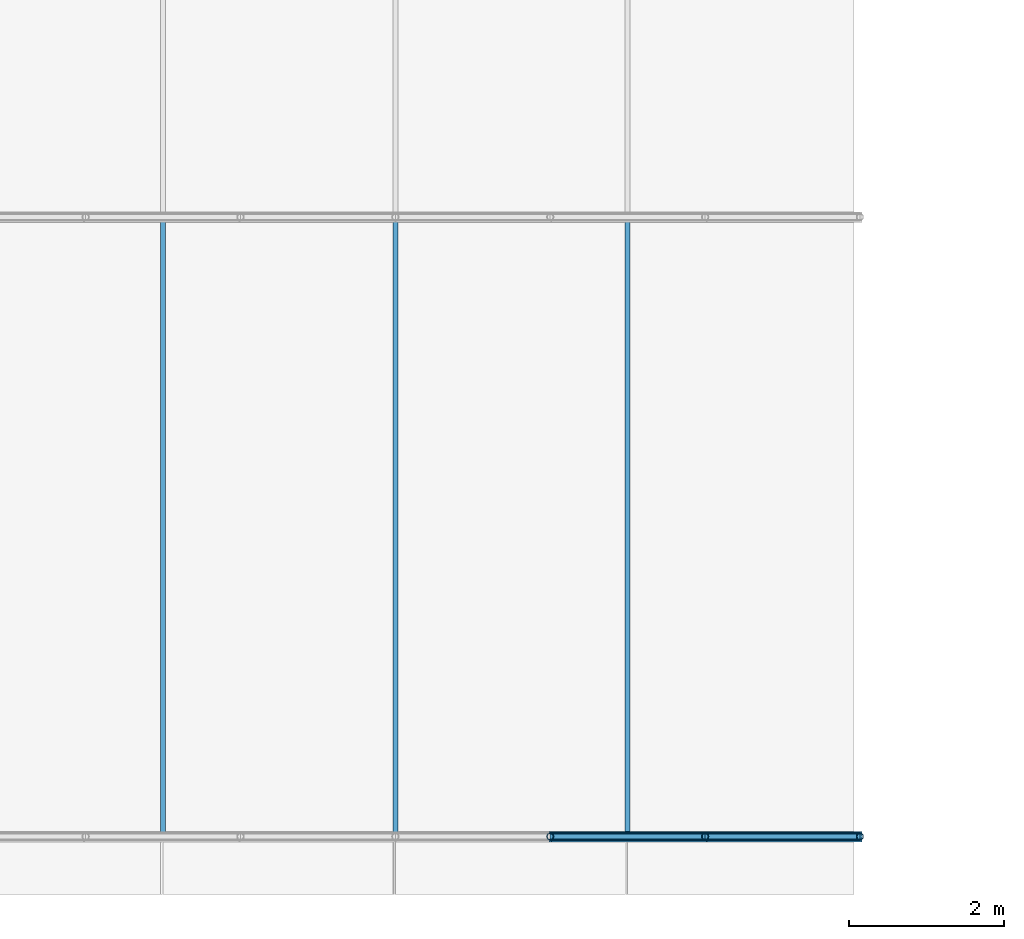
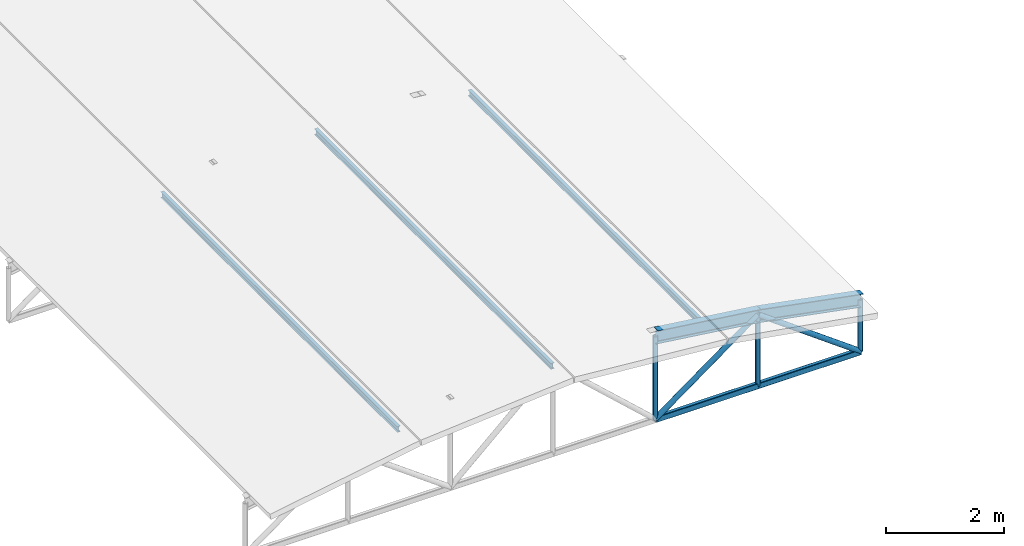
# One storey, part 6 of 54: 12 members.
"""IFC4 building model written with IfcOpenShell, lengths in metres."""

from ifc_helpers import new_model, si_unit, derived_unit, direction, frame, origin, origin_2d, place, context, subcontext, project, spatial, hollow_rectangle, hollow_circle, i_section, extrude, material, material_profile, profile_set, type_object, element, save


model = new_model("IFC4")

# Units and contexts
model_context = context("Model", 3, precision=1e-05, world=origin(), true_north=direction((0.0, 1.0)))
body_context = subcontext(model_context, "Body", "Model", "MODEL_VIEW")
ifc_project = project(units=[si_unit("LENGTHUNIT", "METRE"), si_unit("AREAUNIT", "SQUARE_METRE"), si_unit("VOLUMEUNIT", "CUBIC_METRE"), si_unit("PLANEANGLEUNIT", "RADIAN"), si_unit("MASSUNIT", "GRAM", prefix="KILO"), derived_unit("THERMALTRANSMITTANCEUNIT", [(si_unit("POWERUNIT", "WATT"), 1), (si_unit("LENGTHUNIT", "METRE"), -2), (si_unit("THERMODYNAMICTEMPERATUREUNIT", "KELVIN"), -1)])], contexts=[model_context])

# Site, building, storey
site_placement = place(None, origin())
site = spatial("IfcSite", under=ifc_project, at=site_placement, CompositionType="ELEMENT")
building_placement = place(site_placement, origin())
building = spatial("IfcBuilding", under=site, at=building_placement, Name="Keldorne Ridge Multi-Sports Centre", CompositionType="ELEMENT")
storey_placement = place(building_placement, frame((0.0, 0.0, 22.199951171875)))
storey = spatial("IfcBuildingStorey", under=building, at=storey_placement, Name="ROOF", CompositionType="ELEMENT", Elevation=22.199951171875)

# Members
ifc_material = material(Name="Steel S355", Category="steel")
ifc_material_profile_1 = material_profile(ifc_material, i_section(OverallWidth=0.06396484375, OverallDepth=0.1201171875, WebThickness=0.00439453125, FlangeThickness=0.00634765625, FilletRadius=0.007080078125, at=origin_2d()), Name="IPE 120")
ifc_profile_set_1 = profile_set([ifc_material_profile_1], Name="Steel S355")
member_type_1 = type_object("IfcMemberType", Name="MEM-PR-05", PredefinedType="PURLIN", material=ifc_profile_set_1)
for number, where, z_axis, x_axis, name in (
    (1, (87.0, 6.0, -12.179931640625), (0.0, 1.0, 0.0), (-1.0, 0.0, 0.0), "Public Passage canopy purlin 87.1"),
    (2, (90.0, 6.0, -11.929931640625), (0.0, 1.0, 0.0), (-1.0, 0.0, 0.0), "Public Passage canopy purlin 90.1"),
    (3, (93.0, 6.0, -12.179931640625), (0.0, 1.0, 0.0), (-1.0, 0.0, 0.0), "Public Passage canopy purlin 93.1"),
):
    element("IfcMember", number, at=place(storey_placement, frame(where, z_axis=z_axis, x_axis=x_axis)), inside=storey, type_object=member_type_1, Name=name, PredefinedType="PURLIN", context=body_context, shape_type="SweptSolid", body=[
        extrude(i_section(OverallWidth=0.06396484375, OverallDepth=0.1201171875, WebThickness=0.00439453125, FlangeThickness=0.00634765625, FilletRadius=0.007080078125, at=origin_2d()), origin(), (0.0, 0.0, 1.0), 8.0),
    ])
ifc_material_profile_2 = material_profile(ifc_material, i_section(OverallWidth=0.135009765625, OverallDepth=0.27001953125, WebThickness=0.006591796875, FlangeThickness=0.01025390625, FilletRadius=0.014892578125, at=origin_2d()), Name="IPE 270")
ifc_profile_set_2 = profile_set([ifc_material_profile_2], Name="Steel S355")
member_type_2 = type_object("IfcMemberType", Name="MEM-RF-02", PredefinedType="RAFTER", material=ifc_profile_set_2)
member_1_placement = place(storey_placement, frame((92.0, 6.0, -12.0), z_axis=(0.991654998325, 0.0, -0.128919991848), x_axis=(0.0, 1.0, 0.0)))
element("IfcMember", 4, at=member_1_placement, inside=storey, type_object=member_type_2, Name="Public Passage bowstring arch top chord 01.5", PredefinedType="RAFTER", context=body_context, shape_type="SweptSolid", body=[
    extrude(i_section(OverallWidth=0.135009765625, OverallDepth=0.27001953125, WebThickness=0.006591796875, FlangeThickness=0.01025390625, FilletRadius=0.014892578125, at=origin_2d()), origin(), (0.0, 0.0, 1.0), 2.016845703125),
])
member_2_placement = place(storey_placement, frame((94.0, 6.0, -12.260009765625), z_axis=(0.982435006317, 0.0, -0.186605086649), x_axis=(0.0, 1.0, 0.0)))
element("IfcMember", 5, at=member_2_placement, inside=storey, type_object=member_type_2, Name="Public Passage bowstring arch top chord 01.6", PredefinedType="RAFTER", context=body_context, shape_type="SweptSolid", body=[
    extrude(i_section(OverallWidth=0.135009765625, OverallDepth=0.27001953125, WebThickness=0.006591796875, FlangeThickness=0.01025390625, FilletRadius=0.014892578125, at=origin_2d()), origin(), (0.0, 0.0, 1.0), 2.03564453125),
])
ifc_material_profile_3 = material_profile(ifc_material, hollow_rectangle(XDim=0.080078125, YDim=0.1201171875, WallThickness=0.008056640625, InnerFilletRadius=0.008056640625, OuterFilletRadius=0.01611328125, at=origin_2d()), Name="RHS 120x80x8")
ifc_profile_set_3 = profile_set([ifc_material_profile_3], Name="Steel S355")
member_type_3 = type_object("IfcMemberType", Name="MEM-TC-07", PredefinedType="CHORD", material=ifc_profile_set_3)
for number, where, z_axis, x_axis, name in (
    (6, (92.0, 6.0, -13.719970703125), (1.0, 0.0, 0.0), (0.0, 1.0, 0.0), "Public Passage bowstring tie chord 01.5"),
    (7, (94.0, 6.0, -13.719970703125), (1.0, 0.0, 0.0), (0.0, 1.0, 0.0), "Public Passage bowstring tie chord 01.6"),
):
    element("IfcMember", number, at=place(storey_placement, frame(where, z_axis=z_axis, x_axis=x_axis)), inside=storey, type_object=member_type_3, Name=name, PredefinedType="CHORD", context=body_context, shape_type="SweptSolid", body=[
        extrude(hollow_rectangle(XDim=0.080078125, YDim=0.1201171875, WallThickness=0.008056640625, InnerFilletRadius=0.008056640625, OuterFilletRadius=0.01611328125, at=origin_2d()), origin(), (0.0, 0.0, 1.0), 2.0),
    ])
ifc_material_profile_4 = material_profile(ifc_material, hollow_circle(Radius=0.05078125, WallThickness=0.00634765625, at=origin_2d()), Name="CHS 101.6x6.3")
ifc_profile_set_4 = profile_set([ifc_material_profile_4], Name="Steel S355")
member_type_4 = type_object("IfcMemberType", Name="MEM-TD-05", PredefinedType="BRACE", material=ifc_profile_set_4)
for number, where, z_axis, x_axis, name in (
    (8, (92.0, 6.0, -13.719970703125), (0.8076945033, 0.0, 0.589601212125), (0.0, 1.0, 0.0), "Public Passage bowstring web diagonal 01.5"),
    (9, (94.0, 6.0, -12.260009765625), (0.8076945033, 0.0, -0.589601212125), (0.0, 1.0, 0.0), "Public Passage bowstring web diagonal 01.6"),
):
    element("IfcMember", number, at=place(storey_placement, frame(where, z_axis=z_axis, x_axis=x_axis)), inside=storey, type_object=member_type_4, Name=name, PredefinedType="BRACE", context=body_context, shape_type="SweptSolid", body=[
        extrude(hollow_circle(Radius=0.05078125, WallThickness=0.00634765625, at=origin_2d()), origin(), (0.0, 0.0, 1.0), 2.47607421875),
    ])
ifc_material_profile_5 = material_profile(ifc_material, hollow_circle(Radius=0.04443359375, WallThickness=0.0048828125, at=origin_2d()), Name="CHS 88.9x5")
ifc_profile_set_5 = profile_set([ifc_material_profile_5], Name="Steel S355")
member_type_5 = type_object("IfcMemberType", Name="MEM-TV-07", PredefinedType="STRUT", material=ifc_profile_set_5)
member_3_placement = place(storey_placement, frame((92.0, 6.0, -13.719970703125), z_axis=(0.0, 0.0, 1.0), x_axis=(1.0, 0.0, 0.0)))
element("IfcMember", 10, at=member_3_placement, inside=storey, type_object=member_type_5, Name="Public Passage bowstring hanger 01.5", PredefinedType="STRUT", context=body_context, shape_type="SweptSolid", body=[
    extrude(hollow_circle(Radius=0.04443359375, WallThickness=0.0048828125, at=origin_2d()), origin(), (0.0, 0.0, 1.0), 1.719970703125),
])
member_4_placement = place(storey_placement, frame((94.0, 6.0, -13.719970703125), z_axis=(0.0, 0.0, 1.0), x_axis=(1.0, 0.0, 0.0)))
element("IfcMember", 11, at=member_4_placement, inside=storey, type_object=member_type_5, Name="Public Passage bowstring hanger 01.6", PredefinedType="STRUT", context=body_context, shape_type="SweptSolid", body=[
    extrude(hollow_circle(Radius=0.04443359375, WallThickness=0.0048828125, at=origin_2d()), origin(), (0.0, 0.0, 1.0), 1.4599609375),
])
member_5_placement = place(storey_placement, frame((96.0, 6.0, -13.719970703125), z_axis=(0.0, 0.0, 1.0), x_axis=(1.0, 0.0, 0.0)))
element("IfcMember", 12, at=member_5_placement, inside=storey, type_object=member_type_5, Name="Public Passage bowstring hanger 01.7", PredefinedType="STRUT", context=body_context, shape_type="SweptSolid", body=[
    extrude(hollow_circle(Radius=0.04443359375, WallThickness=0.0048828125, at=origin_2d()), origin(), (0.0, 0.0, 1.0), 1.080078125),
])

save(model, "model.ifc")
